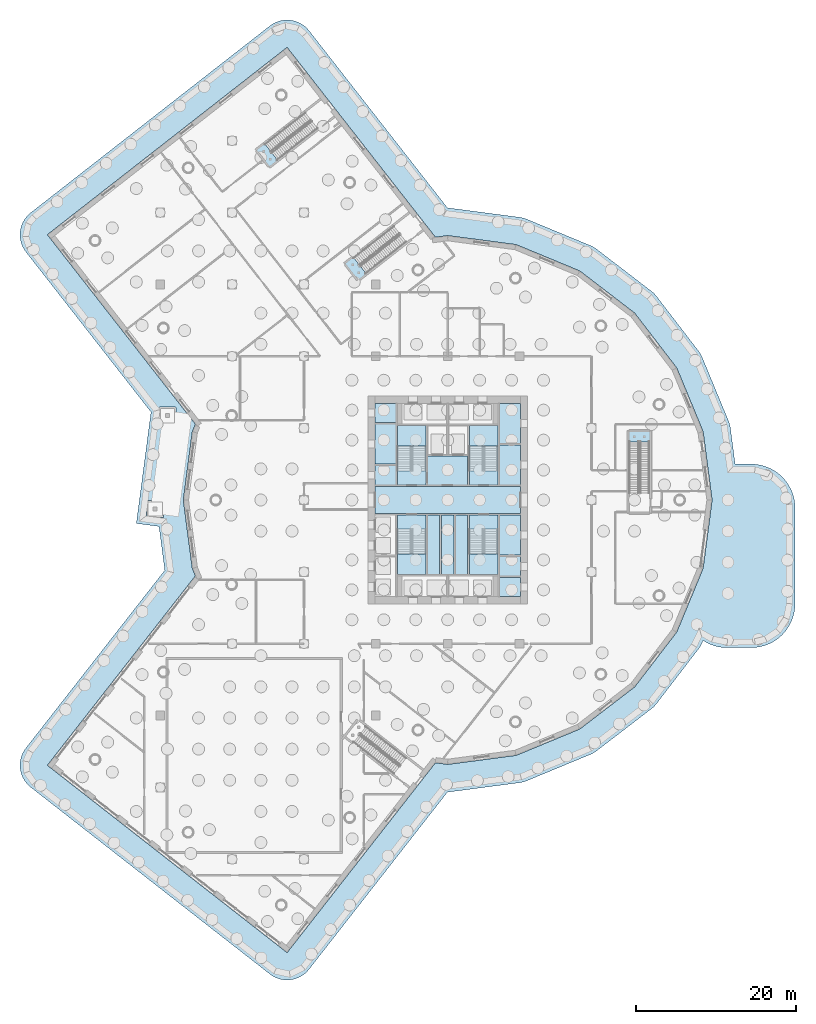
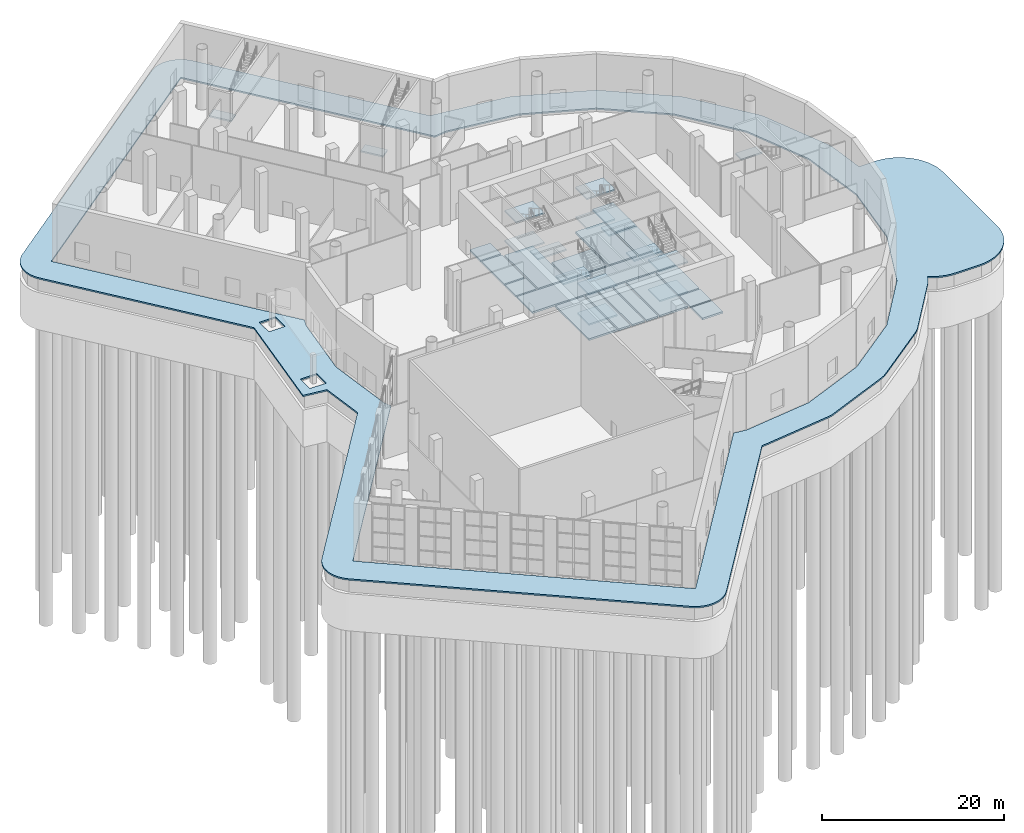
# One storey, part 10 of 34: 33 slabs, 7 elements without a shape of their own.
"""IFC4 building model written with IfcOpenShell, lengths in metres."""

import ifcopenshell
import ifcopenshell.guid

model = None  # the IFC model being written
_history = None  # IfcOwnerHistory: only IFC2X3 demands one
_inside = {}  # id of a spatial element -> (the spatial element, [elements in it])
_under = {}  # id of a project, library or spatial element -> (it, [spatial elements below it])
_declared = {}  # id of a project -> (the project, [libraries it declares])
_typed = {}  # id of a type object -> (the type object, [elements of that type])
_made_of = {}  # id of a material, layer set ... -> (it, [elements and type objects made of it])


def new_model(schema):
    """Start an empty IFC model of exactly this schema.

    Asked for "IFC4X3", IfcOpenShell would pick the latest addendum, in which some entities
    have other attributes; the version numbers below select the first issue.
    IFC2X3 requires an IfcOwnerHistory on every rooted entity: one is made here for all.
    """
    global model, _history
    if schema == "IFC4X3":
        model = ifcopenshell.file(schema_version=(4, 3, 0, 0))
    else:
        model = ifcopenshell.file(schema=schema)
    _inside.clear()
    _under.clear()
    _declared.clear()
    _typed.clear()
    _made_of.clear()
    _history = None
    if model.schema == "IFC2X3":
        org = make("IfcOrganization", Name="unknown")
        user = make(
            "IfcPersonAndOrganization",
            ThePerson=make("IfcPerson", FamilyName="unknown"),
            TheOrganization=org,
        )
        app = make(
            "IfcApplication",
            ApplicationDeveloper=org,
            Version="unknown",
            ApplicationFullName="unknown",
            ApplicationIdentifier="unknown",
        )
        _history = make(
            "IfcOwnerHistory",
            OwningUser=user,
            OwningApplication=app,
            ChangeAction="ADDED",
            CreationDate=0,
        )
    return model


def make(cls, **values):
    """One entity of the class cls with the attributes given. An attribute that is None is left unset."""
    return model.create_entity(
        cls, **{name: value for name, value in values.items() if value is not None}
    )


def rooted(cls, **values):
    """An entity with a GlobalId (a new one), such as an element, a storey or a relation."""
    return make(cls, GlobalId=ifcopenshell.guid.new(), OwnerHistory=_history, **values)


def si_unit(unit_type, name, prefix=None):
    """IfcSIUnit, for example si_unit("LENGTHUNIT", "METRE", prefix="MILLI")."""
    return make("IfcSIUnit", UnitType=unit_type, Prefix=prefix, Name=name)


def assignment(units):
    """IfcUnitAssignment: the units of a project."""
    return None if units is None else make("IfcUnitAssignment", Units=units)


def point(xyz):
    """IfcCartesianPoint."""
    return None if xyz is None else make("IfcCartesianPoint", Coordinates=xyz)


def direction(xyz):
    """IfcDirection."""
    return None if xyz is None else make("IfcDirection", DirectionRatios=xyz)


def frame(location, z_axis=None, x_axis=None):
    """IfcAxis2Placement3D, a coordinate frame: its origin and axes. An axis left out is left unset."""
    return make(
        "IfcAxis2Placement3D",
        Location=point(location),
        Axis=direction(z_axis),
        RefDirection=direction(x_axis),
    )


def origin():
    """The frame at (0, 0, 0) with its axes left unset."""
    return frame((0.0, 0.0, 0.0))


def place(relative_to, where):
    """IfcLocalPlacement: puts the frame where relative to a parent placement (None: the world)."""
    return make(
        "IfcLocalPlacement", PlacementRelTo=relative_to, RelativePlacement=where
    )


def context(
    kind, dimensions, precision=None, world=None, true_north=None, identifier=None
):
    """IfcGeometricRepresentationContext, for example the 3D "Model" context."""
    return make(
        "IfcGeometricRepresentationContext",
        ContextIdentifier=identifier,
        ContextType=kind,
        CoordinateSpaceDimension=dimensions,
        Precision=precision,
        WorldCoordinateSystem=world,
        TrueNorth=true_north,
    )


def subcontext(parent, identifier, kind, view, scale=None):
    """IfcGeometricRepresentationSubContext, for example "Body" below "Model"."""
    return make(
        "IfcGeometricRepresentationSubContext",
        ContextIdentifier=identifier,
        ContextType=kind,
        ParentContext=parent,
        TargetScale=scale,
        TargetView=view,
    )


def project(units=None, contexts=None):
    """IfcProject with its units and contexts."""
    return rooted(
        "IfcProject",
        Name="project",
        RepresentationContexts=contexts,
        UnitsInContext=assignment(units),
    )


def spatial(cls, under=None, at=None, **own):
    """A site, building, storey or space (cls), placed at a placement, below another one or the project."""
    s = rooted(cls, ObjectPlacement=at, **own)
    if under is not None:
        _under.setdefault(under.id(), (under, []))[1].append(s)
    return s


def polyline(points):
    """IfcPolyline through the points."""
    return make("IfcPolyline", Points=[point(p) for p in points])


def outline(outer, holes=None, kind="AREA"):
    """IfcArbitraryClosedProfileDef: a profile drawn as a closed curve; with holes, ...WithVoids."""
    if holes is None:
        return make("IfcArbitraryClosedProfileDef", ProfileType=kind, OuterCurve=outer)
    return make(
        "IfcArbitraryProfileDefWithVoids",
        ProfileType=kind,
        OuterCurve=outer,
        InnerCurves=holes,
    )


def extrude(swept, where, along, depth):
    """IfcExtrudedAreaSolid: the profile swept, set in the frame where, extruded along a direction by depth."""
    return make(
        "IfcExtrudedAreaSolid",
        SweptArea=swept,
        Position=where,
        ExtrudedDirection=direction(along),
        Depth=depth,
    )


def shape(context_of_items, identifier, shape_type, items):
    """IfcShapeRepresentation: the items that make up one representation, for example the "Body"."""
    return make(
        "IfcShapeRepresentation",
        ContextOfItems=context_of_items,
        RepresentationIdentifier=identifier,
        RepresentationType=shape_type,
        Items=items,
    )


def material(Name=None, Category=None):
    """IfcMaterial."""
    return make("IfcMaterial", Name=Name, Category=Category)


def layer(
    of_material, thickness, ventilated=None, Name=None, Category=None, Priority=None
):
    """IfcMaterialLayer: one layer of a wall or slab, of a material (None: an air gap)."""
    return make(
        "IfcMaterialLayer",
        Material=of_material,
        LayerThickness=thickness,
        IsVentilated=ventilated,
        Name=Name,
        Category=Category,
        Priority=Priority,
    )


def layer_set(layers, Name=None):
    """IfcMaterialLayerSet."""
    return make("IfcMaterialLayerSet", MaterialLayers=layers, LayerSetName=Name)


def made_of(thing, what):
    """Note that an element or type object is made of a material, layer set ...; save() writes the relation."""
    if what is not None:
        _made_of.setdefault(what.id(), (what, []))[1].append(thing)
    return thing


def type_object(cls, material=None, **own):
    """A type object (cls), such as IfcWallType, which elements share."""
    return made_of(rooted(cls, **own), material)


def element(
    cls,
    number,
    at=None,
    inside=None,
    cuts=None,
    type_object=None,
    material=None,
    context=None,
    identifier="Body",
    shape_type=None,
    held_by="IfcProductDefinitionShape",
    body=None,
    shapes=None,
    **own,
):
    """One element of the class cls, such as IfcWall. Its Tag is "e" and its number.

    at: its placement. inside: the storey or other place that contains it. cuts: it is an
    opening in that element (IfcRelVoidsElement). A single representation is given by context,
    identifier, shape_type and body (its items); several are given by shapes. held_by: the class
    of the entity that holds the representations. save() writes the other relations.
    """
    e = rooted(cls, Tag="e%d" % number, ObjectPlacement=at, **own)
    if body is not None:
        shapes = [shape(context, identifier, shape_type, body)]
    if shapes is not None:
        e.Representation = make(held_by, Representations=shapes)
    if inside is not None:
        _inside.setdefault(inside.id(), (inside, []))[1].append(e)
    if cuts is not None:
        rooted(
            "IfcRelVoidsElement", RelatingBuildingElement=cuts, RelatedOpeningElement=e
        )
    if type_object is not None:
        _typed.setdefault(type_object.id(), (type_object, []))[1].append(e)
    return made_of(e, material)


def aggregate(whole, parts):
    """IfcRelAggregates: a whole, such as a stair, and the parts it consists of."""
    return rooted("IfcRelAggregates", RelatingObject=whole, RelatedObjects=parts)


def save(model, path):
    """Write the relations noted so far, then the file.

    IfcRelAggregates (storeys below a building ...), IfcRelContainedInSpatialStructure (elements
    in a storey), IfcRelDefinesByType, IfcRelAssociatesMaterial and IfcRelDeclares: one each for
    every whole, place, type object, material and project.
    """
    for whole, parts in _under.values():
        aggregate(whole, parts)
    for where, things in _inside.values():
        rooted(
            "IfcRelContainedInSpatialStructure",
            RelatedElements=things,
            RelatingStructure=where,
        )
    for kind, things in _typed.values():
        rooted("IfcRelDefinesByType", RelatedObjects=things, RelatingType=kind)
    for what, things in _made_of.values():
        rooted("IfcRelAssociatesMaterial", RelatedObjects=things, RelatingMaterial=what)
    for by, libraries in _declared.values():
        rooted("IfcRelDeclares", RelatingContext=by, RelatedDefinitions=libraries)
    model.write(path)


model = new_model("IFC4")

# Units and contexts
model_context = context("Model", 3, precision=1e-05, world=origin(), true_north=direction((0.0, 1.0)))
body_context = subcontext(model_context, "Body", "Model", "MODEL_VIEW")
ifc_project = project(units=[si_unit("LENGTHUNIT", "METRE"), si_unit("AREAUNIT", "SQUARE_METRE"), si_unit("VOLUMEUNIT", "CUBIC_METRE"), si_unit("PLANEANGLEUNIT", "RADIAN"), si_unit("MASSUNIT", "GRAM", prefix="KILO")], contexts=[model_context])

# Site, building, storey
site_placement = place(None, origin())
site = spatial("IfcSite", under=ifc_project, at=site_placement, CompositionType="ELEMENT")
building_placement = place(site_placement, origin())
building = spatial("IfcBuilding", under=site, at=building_placement, Name="Tarsis Ring Headquarters", CompositionType="ELEMENT")
storey_placement = place(building_placement, origin())
storey = spatial("IfcBuildingStorey", under=building, at=storey_placement, Name="L00", CompositionType="ELEMENT", Elevation=0.0)

# Slabs
ifc_material_1 = material(Name="Concrete C40/50", Category="concrete")
ifc_layer_1 = layer(ifc_material_1, 0.25)
ifc_layer_set_1 = layer_set([ifc_layer_1], Name="Core floor slab 250 C40/50")
slab_type_1 = type_object("IfcSlabType", Name="Core floor slab 250 C40/50", PredefinedType="FLOOR", material=ifc_layer_set_1)
slab_1_placement = place(storey_placement, frame((0.0, 0.0, -0.25)))
element("IfcSlab", 1, at=slab_1_placement, inside=storey, type_object=slab_type_1, Name="L00 core floor slab 1", PredefinedType="FLOOR", context=body_context, shape_type="SweptSolid", body=[
    extrude(outline(polyline([(-9.10009765625, 4.300048828125), (-6.5, 4.300048828125), (-6.5, 1.89990234375), (-9.10009765625, 1.89990234375), (-9.10009765625, 4.300048828125)])), origin(), (0.0, 0.0, 1.0), 0.25),
])
slab_2_placement = place(storey_placement, frame((0.0, 0.0, -0.25)))
element("IfcSlab", 2, at=slab_2_placement, inside=storey, type_object=slab_type_1, Name="L00 core floor slab 2", PredefinedType="FLOOR", context=body_context, shape_type="SweptSolid", body=[
    extrude(outline(polyline([(-9.10009765625, 9.5), (-6.5, 9.5), (-6.5, 4.5), (-9.10009765625, 4.5), (-9.10009765625, 9.5)])), origin(), (0.0, 0.0, 1.0), 0.25),
])
slab_3_placement = place(storey_placement, frame((0.0, 0.0, -0.25)))
element("IfcSlab", 3, at=slab_3_placement, inside=storey, type_object=slab_type_1, Name="L00 core floor slab 3", PredefinedType="FLOOR", context=body_context, shape_type="SweptSolid", body=[
    extrude(outline(polyline([(-9.10009765625, 12.10009765625), (-6.5, 12.10009765625), (-6.5, 9.699951171875), (-9.10009765625, 9.699951171875), (-9.10009765625, 12.10009765625)])), origin(), (0.0, 0.0, 1.0), 0.25),
])
slab_4_placement = place(storey_placement, frame((0.0, 0.0, -0.25)))
element("IfcSlab", 4, at=slab_4_placement, inside=storey, type_object=slab_type_1, Name="L00 core floor slab 4", PredefinedType="FLOOR", context=body_context, shape_type="SweptSolid", body=[
    extrude(outline(polyline([(-6.300048828125, -9.300048828125), (-6.300048828125, -1.89990234375), (-2.699951171875, -1.89990234375), (-2.699951171875, -9.300048828125), (-6.300048828125, -9.300048828125)])), origin(), (0.0, 0.0, 1.0), 0.25),
])
slab_5_placement = place(storey_placement, frame((0.0, 0.0, -0.25)))
element("IfcSlab", 5, at=slab_5_placement, inside=storey, type_object=slab_type_1, Name="L00 core floor slab 5", PredefinedType="FLOOR", context=body_context, shape_type="SweptSolid", body=[
    extrude(outline(polyline([(-6.300048828125, 9.300048828125), (-2.699951171875, 9.300048828125), (-2.699951171875, 1.89990234375), (-6.300048828125, 1.89990234375), (-6.300048828125, 9.300048828125)])), origin(), (0.0, 0.0, 1.0), 0.25),
])
slab_6_placement = place(storey_placement, frame((0.0, 0.0, -0.25)))
element("IfcSlab", 6, at=slab_6_placement, inside=storey, type_object=slab_type_1, Name="L00 core floor slab 6", PredefinedType="FLOOR", context=body_context, shape_type="SweptSolid", body=[
    extrude(outline(polyline([(-1.0, -9.300048828125), (-2.5, -9.300048828125), (-2.5, -1.89990234375), (-1.0, -1.89990234375), (-1.0, -9.300048828125)])), origin(), (0.0, 0.0, 1.0), 0.25),
])
slab_7_placement = place(storey_placement, frame((0.0, 0.0, -0.25)))
element("IfcSlab", 7, at=slab_7_placement, inside=storey, type_object=slab_type_1, Name="L00 core floor slab 7", PredefinedType="FLOOR", context=body_context, shape_type="SweptSolid", body=[
    extrude(outline(polyline([(-0.800048828125, -9.300048828125), (-0.800048828125, -1.89990234375), (0.800048828125, -1.89990234375), (0.800048828125, -9.300048828125), (-0.800048828125, -9.300048828125)])), origin(), (0.0, 0.0, 1.0), 0.25),
])
slab_8_placement = place(storey_placement, frame((0.0, 0.0, -0.25)))
element("IfcSlab", 8, at=slab_8_placement, inside=storey, type_object=slab_type_1, Name="L00 core floor slab 8", PredefinedType="FLOOR", context=body_context, shape_type="SweptSolid", body=[
    extrude(outline(polyline([(-9.10009765625, -1.699951171875), (-9.10009765625, 1.699951171875), (9.10009765625, 1.699951171875), (9.10009765625, -1.699951171875), (-9.10009765625, -1.699951171875)])), origin(), (0.0, 0.0, 1.0), 0.25),
])
slab_9_placement = place(storey_placement, frame((0.0, 0.0, -0.25)))
element("IfcSlab", 9, at=slab_9_placement, inside=storey, type_object=slab_type_1, Name="L00 core floor slab 9", PredefinedType="FLOOR", context=body_context, shape_type="SweptSolid", body=[
    extrude(outline(polyline([(-2.5, 1.89990234375), (-2.5, 5.5), (2.5, 5.5), (2.5, 1.89990234375), (-2.5, 1.89990234375)])), origin(), (0.0, 0.0, 1.0), 0.25),
])
slab_10_placement = place(storey_placement, frame((0.0, 0.0, -0.25)))
element("IfcSlab", 10, at=slab_10_placement, inside=storey, type_object=slab_type_1, Name="L00 core floor slab 10", PredefinedType="FLOOR", context=body_context, shape_type="SweptSolid", body=[
    extrude(outline(polyline([(1.0, -1.89990234375), (2.5, -1.89990234375), (2.5, -9.300048828125), (1.0, -9.300048828125), (1.0, -1.89990234375)])), origin(), (0.0, 0.0, 1.0), 0.25),
])
slab_11_placement = place(storey_placement, frame((0.0, 0.0, -0.25)))
element("IfcSlab", 11, at=slab_11_placement, inside=storey, type_object=slab_type_1, Name="L00 core floor slab 11", PredefinedType="FLOOR", context=body_context, shape_type="SweptSolid", body=[
    extrude(outline(polyline([(6.300048828125, -9.300048828125), (2.699951171875, -9.300048828125), (2.699951171875, -1.89990234375), (6.300048828125, -1.89990234375), (6.300048828125, -9.300048828125)])), origin(), (0.0, 0.0, 1.0), 0.25),
])
slab_12_placement = place(storey_placement, frame((0.0, 0.0, -0.25)))
element("IfcSlab", 12, at=slab_12_placement, inside=storey, type_object=slab_type_1, Name="L00 core floor slab 12", PredefinedType="FLOOR", context=body_context, shape_type="SweptSolid", body=[
    extrude(outline(polyline([(6.300048828125, 9.300048828125), (6.300048828125, 1.89990234375), (2.699951171875, 1.89990234375), (2.699951171875, 9.300048828125), (6.300048828125, 9.300048828125)])), origin(), (0.0, 0.0, 1.0), 0.25),
])
slab_13_placement = place(storey_placement, frame((0.0, 0.0, -0.25)))
element("IfcSlab", 13, at=slab_13_placement, inside=storey, type_object=slab_type_1, Name="L00 core floor slab 13", PredefinedType="FLOOR", context=body_context, shape_type="SweptSolid", body=[
    extrude(outline(polyline([(9.10009765625, -9.699951171875), (9.10009765625, -12.10009765625), (6.5, -12.10009765625), (6.5, -9.699951171875), (9.10009765625, -9.699951171875)])), origin(), (0.0, 0.0, 1.0), 0.25),
])
slab_14_placement = place(storey_placement, frame((0.0, 0.0, -0.25)))
element("IfcSlab", 14, at=slab_14_placement, inside=storey, type_object=slab_type_1, Name="L00 core floor slab 14", PredefinedType="FLOOR", context=body_context, shape_type="SweptSolid", body=[
    extrude(outline(polyline([(9.10009765625, -7.10009765625), (9.10009765625, -9.5), (6.5, -9.5), (6.5, -7.10009765625), (9.10009765625, -7.10009765625)])), origin(), (0.0, 0.0, 1.0), 0.25),
])
slab_15_placement = place(storey_placement, frame((0.0, 0.0, -0.25)))
element("IfcSlab", 15, at=slab_15_placement, inside=storey, type_object=slab_type_1, Name="L00 core floor slab 15", PredefinedType="FLOOR", context=body_context, shape_type="SweptSolid", body=[
    extrude(outline(polyline([(9.10009765625, -1.89990234375), (9.10009765625, -6.89990234375), (6.5, -6.89990234375), (6.5, -1.89990234375), (9.10009765625, -1.89990234375)])), origin(), (0.0, 0.0, 1.0), 0.25),
])
slab_16_placement = place(storey_placement, frame((0.0, 0.0, -0.25)))
element("IfcSlab", 16, at=slab_16_placement, inside=storey, type_object=slab_type_1, Name="L00 core floor slab 16", PredefinedType="FLOOR", context=body_context, shape_type="SweptSolid", body=[
    extrude(outline(polyline([(9.10009765625, 6.89990234375), (9.10009765625, 1.89990234375), (6.5, 1.89990234375), (6.5, 6.89990234375), (9.10009765625, 6.89990234375)])), origin(), (0.0, 0.0, 1.0), 0.25),
])
slab_17_placement = place(storey_placement, frame((0.0, 0.0, -0.25)))
element("IfcSlab", 17, at=slab_17_placement, inside=storey, type_object=slab_type_1, Name="L00 core floor slab 17", PredefinedType="FLOOR", context=body_context, shape_type="SweptSolid", body=[
    extrude(outline(polyline([(6.5, 12.10009765625), (9.10009765625, 12.10009765625), (9.10009765625, 7.10009765625), (6.5, 7.10009765625), (6.5, 12.10009765625)])), origin(), (0.0, 0.0, 1.0), 0.25),
])

# Stair, slabs
ifc_material_2 = material(Name="Core stair 1760")
stair_type_1 = type_object("IfcStairType", Name="Core stair 1760", PredefinedType="HALF_TURN_STAIR", material=ifc_material_2)
stair_1_placement = place(storey_placement, origin())
stair_1 = element("IfcStair", 18, at=stair_1_placement, inside=storey, type_object=stair_type_1, Name="L00 Firefighting stair", PredefinedType="HALF_TURN_STAIR")
ifc_layer_2 = layer(ifc_material_1, 0.199951171875)
ifc_layer_set_2 = layer_set([ifc_layer_2], Name="Core stair landing 200")
slab_type_2 = type_object("IfcSlabType", Name="Core stair landing 200", PredefinedType="LANDING", material=ifc_layer_set_2)
slab_18_placement = place(storey_placement, frame((0.0, 0.0, 1.800048828125)))
slab_18 = element("IfcSlab", 19, at=slab_18_placement, type_object=slab_type_2, Name="Stair ST1 landing 1", PredefinedType="LANDING", context=body_context, shape_type="SweptSolid", body=[
    extrude(outline(polyline([(-2.699951171875, 6.739990234375), (-2.699951171875, 9.300048828125), (-6.300048828125, 9.300048828125), (-6.300048828125, 6.739990234375), (-2.699951171875, 6.739990234375)])), origin(), (0.0, 0.0, 1.0), 0.199951171875),
])
slab_19_placement = place(storey_placement, frame((0.0, 0.0, 3.800048828125)))
slab_19 = element("IfcSlab", 20, at=slab_19_placement, type_object=slab_type_2, Name="Stair ST1 landing 2", PredefinedType="LANDING", context=body_context, shape_type="SweptSolid", body=[
    extrude(outline(polyline([(-2.699951171875, 1.89990234375), (-2.699951171875, 3.659912109375), (-6.300048828125, 3.659912109375), (-6.300048828125, 1.89990234375), (-2.699951171875, 1.89990234375)])), origin(), (0.0, 0.0, 1.0), 0.199951171875),
])
slab_20_placement = place(storey_placement, frame((0.0, 0.0, 5.800048828125)))
slab_20 = element("IfcSlab", 21, at=slab_20_placement, type_object=slab_type_2, Name="Stair ST1 landing 3", PredefinedType="LANDING", context=body_context, shape_type="SweptSolid", body=[
    extrude(outline(polyline([(-2.699951171875, 6.739990234375), (-2.699951171875, 9.300048828125), (-6.300048828125, 9.300048828125), (-6.300048828125, 6.739990234375), (-2.699951171875, 6.739990234375)])), origin(), (0.0, 0.0, 1.0), 0.199951171875),
])
aggregate(stair_1, [slab_18, slab_19, slab_20])

stair_2_placement = place(storey_placement, origin())
stair_2 = element("IfcStair", 22, at=stair_2_placement, inside=storey, type_object=stair_type_1, Name="L00 Exit stair B", PredefinedType="HALF_TURN_STAIR")
slab_21_placement = place(storey_placement, frame((0.0, 0.0, 1.800048828125)))
slab_21 = element("IfcSlab", 23, at=slab_21_placement, type_object=slab_type_2, Name="Stair ST2 landing 1", PredefinedType="LANDING", context=body_context, shape_type="SweptSolid", body=[
    extrude(outline(polyline([(6.300048828125, 6.739990234375), (6.300048828125, 9.300048828125), (2.699951171875, 9.300048828125), (2.699951171875, 6.739990234375), (6.300048828125, 6.739990234375)])), origin(), (0.0, 0.0, 1.0), 0.199951171875),
])
slab_22_placement = place(storey_placement, frame((0.0, 0.0, 3.800048828125)))
slab_22 = element("IfcSlab", 24, at=slab_22_placement, type_object=slab_type_2, Name="Stair ST2 landing 2", PredefinedType="LANDING", context=body_context, shape_type="SweptSolid", body=[
    extrude(outline(polyline([(6.300048828125, 1.89990234375), (6.300048828125, 3.659912109375), (2.699951171875, 3.659912109375), (2.699951171875, 1.89990234375), (6.300048828125, 1.89990234375)])), origin(), (0.0, 0.0, 1.0), 0.199951171875),
])
slab_23_placement = place(storey_placement, frame((0.0, 0.0, 5.800048828125)))
slab_23 = element("IfcSlab", 25, at=slab_23_placement, type_object=slab_type_2, Name="Stair ST2 landing 3", PredefinedType="LANDING", context=body_context, shape_type="SweptSolid", body=[
    extrude(outline(polyline([(6.300048828125, 6.739990234375), (6.300048828125, 9.300048828125), (2.699951171875, 9.300048828125), (2.699951171875, 6.739990234375), (6.300048828125, 6.739990234375)])), origin(), (0.0, 0.0, 1.0), 0.199951171875),
])
aggregate(stair_2, [slab_21, slab_22, slab_23])

stair_3_placement = place(storey_placement, origin())
stair_3 = element("IfcStair", 26, at=stair_3_placement, inside=storey, type_object=stair_type_1, Name="L00 Exit stair C", PredefinedType="HALF_TURN_STAIR")
slab_24_placement = place(storey_placement, frame((0.0, 0.0, 1.800048828125)))
slab_24 = element("IfcSlab", 27, at=slab_24_placement, type_object=slab_type_2, Name="Stair ST3 landing 1", PredefinedType="LANDING", context=body_context, shape_type="SweptSolid", body=[
    extrude(outline(polyline([(-6.300048828125, -6.739990234375), (-6.300048828125, -9.300048828125), (-2.699951171875, -9.300048828125), (-2.699951171875, -6.739990234375), (-6.300048828125, -6.739990234375)])), origin(), (0.0, 0.0, 1.0), 0.199951171875),
])
slab_25_placement = place(storey_placement, frame((0.0, 0.0, 3.800048828125)))
slab_25 = element("IfcSlab", 28, at=slab_25_placement, type_object=slab_type_2, Name="Stair ST3 landing 2", PredefinedType="LANDING", context=body_context, shape_type="SweptSolid", body=[
    extrude(outline(polyline([(-6.300048828125, -1.89990234375), (-6.300048828125, -3.659912109375), (-2.699951171875, -3.659912109375), (-2.699951171875, -1.89990234375), (-6.300048828125, -1.89990234375)])), origin(), (0.0, 0.0, 1.0), 0.199951171875),
])
slab_26_placement = place(storey_placement, frame((0.0, 0.0, 5.800048828125)))
slab_26 = element("IfcSlab", 29, at=slab_26_placement, type_object=slab_type_2, Name="Stair ST3 landing 3", PredefinedType="LANDING", context=body_context, shape_type="SweptSolid", body=[
    extrude(outline(polyline([(-6.300048828125, -6.739990234375), (-6.300048828125, -9.300048828125), (-2.699951171875, -9.300048828125), (-2.699951171875, -6.739990234375), (-6.300048828125, -6.739990234375)])), origin(), (0.0, 0.0, 1.0), 0.199951171875),
])
aggregate(stair_3, [slab_24, slab_25, slab_26])

stair_4_placement = place(storey_placement, origin())
stair_4 = element("IfcStair", 30, at=stair_4_placement, inside=storey, type_object=stair_type_1, Name="L00 Exit stair D", PredefinedType="HALF_TURN_STAIR")
slab_27_placement = place(storey_placement, frame((0.0, 0.0, 1.800048828125)))
slab_27 = element("IfcSlab", 31, at=slab_27_placement, type_object=slab_type_2, Name="Stair ST4 landing 1", PredefinedType="LANDING", context=body_context, shape_type="SweptSolid", body=[
    extrude(outline(polyline([(2.699951171875, -6.739990234375), (2.699951171875, -9.300048828125), (6.300048828125, -9.300048828125), (6.300048828125, -6.739990234375), (2.699951171875, -6.739990234375)])), origin(), (0.0, 0.0, 1.0), 0.199951171875),
])
slab_28_placement = place(storey_placement, frame((0.0, 0.0, 3.800048828125)))
slab_28 = element("IfcSlab", 32, at=slab_28_placement, type_object=slab_type_2, Name="Stair ST4 landing 2", PredefinedType="LANDING", context=body_context, shape_type="SweptSolid", body=[
    extrude(outline(polyline([(2.699951171875, -1.89990234375), (2.699951171875, -3.659912109375), (6.300048828125, -3.659912109375), (6.300048828125, -1.89990234375), (2.699951171875, -1.89990234375)])), origin(), (0.0, 0.0, 1.0), 0.199951171875),
])
slab_29_placement = place(storey_placement, frame((0.0, 0.0, 5.800048828125)))
slab_29 = element("IfcSlab", 33, at=slab_29_placement, type_object=slab_type_2, Name="Stair ST4 landing 3", PredefinedType="LANDING", context=body_context, shape_type="SweptSolid", body=[
    extrude(outline(polyline([(2.699951171875, -6.739990234375), (2.699951171875, -9.300048828125), (6.300048828125, -9.300048828125), (6.300048828125, -6.739990234375), (2.699951171875, -6.739990234375)])), origin(), (0.0, 0.0, 1.0), 0.199951171875),
])
aggregate(stair_4, [slab_27, slab_28, slab_29])

# Slab
ifc_material_3 = material(Name="Natural stone paving", Category="masonry")
ifc_layer_3 = layer(ifc_material_3, 0.199951171875)
ifc_layer_set_3 = layer_set([ifc_layer_3], Name="PO-PVS")
slab_type_3 = type_object("IfcSlabType", Name="PO-PVS", PredefinedType="FLOOR", material=ifc_layer_set_3)
slab_30_placement = place(storey_placement, frame((0.0, 0.0, -0.199951171875)))
element("IfcSlab", 34, at=slab_30_placement, inside=storey, type_object=slab_type_3, Name="Plaza paving", PredefinedType="FLOOR", context=body_context, shape_type="SweptSolid", body=[
    extrude(outline(polyline([(33.4033203125, -18.26318359375), (33.927001953125, -18.394287109375), (34.4609375, -18.4736328125), (35.0, -18.5), (38.0, -18.5), (38.5390625, -18.4736328125), (39.072998046875, -18.394287109375), (39.5966796875, -18.26318359375), (40.104736328125, -18.081298828125), (40.5927734375, -17.8505859375), (41.0556640625, -17.572998046875), (41.4892578125, -17.25146484375), (41.88916015625, -16.88916015625), (42.25146484375, -16.4892578125), (42.572998046875, -16.0556640625), (42.8505859375, -15.5927734375), (43.081298828125, -15.104736328125), (43.26318359375, -14.5966796875), (43.394287109375, -14.072998046875), (43.4736328125, -13.5390625), (43.5, -13.0), (43.5, -1.0), (43.4736328125, -0.4609375), (43.394287109375, 0.072998046875), (43.26318359375, 0.5966796875), (43.081298828125, 1.104736328125), (42.8505859375, 1.5927734375), (42.572998046875, 2.0556640625), (42.25146484375, 2.4892578125), (41.88916015625, 2.88916015625), (41.4892578125, 3.25146484375), (41.0556640625, 3.572998046875), (40.5927734375, 3.8505859375), (40.104736328125, 4.081298828125), (39.5966796875, 4.26318359375), (39.072998046875, 4.394287109375), (38.5390625, 4.4736328125), (38.0, 4.5), (35.998046875, 4.5), (35.404052734375, 9.013427734375), (35.350830078125, 9.314208984375), (35.27197265625, 9.609130859375), (35.16748046875, 9.89599609375), (31.86474609375, 17.86962890625), (31.735595703125, 18.146240234375), (31.5830078125, 18.41064453125), (31.407958984375, 18.660888671875), (26.154052734375, 25.5078125), (25.957763671875, 25.74169921875), (25.74169921875, 25.957763671875), (25.5078125, 26.154052734375), (18.660888671875, 31.407958984375), (18.41064453125, 31.5830078125), (18.146240234375, 31.735595703125), (17.86962890625, 31.86474609375), (9.89599609375, 35.16748046875), (9.609130859375, 35.27197265625), (9.314208984375, 35.350830078125), (9.013427734375, 35.404052734375), (0.456787109375, 36.530517578125), (-0.008544921875, 36.55712890625), (-17.362548828125, 58.76904296875), (-17.5869140625, 59.029052734375), (-17.8359375, 59.265625), (-18.106689453125, 59.476806640625), (-18.39697265625, 59.660400390625), (-18.703857421875, 59.814697265625), (-19.0244140625, 59.938232421875), (-19.35546875, 60.029541015625), (-19.69384765625, 60.088134765625), (-20.03662109375, 60.11328125), (-20.3798828125, 60.1044921875), (-20.720703125, 60.062255859375), (-21.055908203125, 59.98681640625), (-21.3818359375, 59.87890625), (-21.69580078125, 59.739501953125), (-21.99462890625, 59.570068359375), (-22.275390625, 59.372314453125), (-52.2197265625, 35.97705078125), (-52.479736328125, 35.752685546875), (-52.71630859375, 35.503662109375), (-52.927490234375, 35.23291015625), (-53.111083984375, 34.942626953125), (-53.265380859375, 34.6357421875), (-53.388916015625, 34.315185546875), (-53.480224609375, 33.984130859375), (-53.538818359375, 33.6455078125), (-53.56396484375, 33.302978515625), (-53.55517578125, 32.959716796875), (-53.512939453125, 32.618896484375), (-53.4375, 32.28369140625), (-53.32958984375, 31.95751953125), (-53.1904296875, 31.643798828125), (-53.020751953125, 31.344970703125), (-52.822998046875, 31.064208984375), (-37.157958984375, 11.013916015625), (-38.994384765625, -2.935302734375), (-36.155029296875, -3.30908203125), (-35.431396484375, -8.80419921875), (-52.822998046875, -31.064208984375), (-53.020751953125, -31.344970703125), (-53.1904296875, -31.643798828125), (-53.32958984375, -31.95751953125), (-53.4375, -32.28369140625), (-53.512939453125, -32.618896484375), (-53.55517578125, -32.959716796875), (-53.56396484375, -33.302978515625), (-53.538818359375, -33.6455078125), (-53.480224609375, -33.984130859375), (-53.388916015625, -34.315185546875), (-53.265380859375, -34.6357421875), (-53.111083984375, -34.942626953125), (-52.927490234375, -35.23291015625), (-52.71630859375, -35.503662109375), (-52.479736328125, -35.752685546875), (-52.2197265625, -35.97705078125), (-22.275390625, -59.372314453125), (-21.99462890625, -59.570068359375), (-21.69580078125, -59.739501953125), (-21.3818359375, -59.87890625), (-21.055908203125, -59.98681640625), (-20.720703125, -60.062255859375), (-20.3798828125, -60.1044921875), (-20.03662109375, -60.11328125), (-19.69384765625, -60.088134765625), (-19.35546875, -60.029541015625), (-19.0244140625, -59.938232421875), (-18.703857421875, -59.814697265625), (-18.39697265625, -59.660400390625), (-18.106689453125, -59.476806640625), (-17.8359375, -59.265625), (-17.5869140625, -59.029052734375), (-17.362548828125, -58.76904296875), (-0.008544921875, -36.55712890625), (0.456787109375, -36.530517578125), (9.013427734375, -35.404052734375), (9.314208984375, -35.350830078125), (9.609130859375, -35.27197265625), (9.89599609375, -35.16748046875), (17.86962890625, -31.86474609375), (18.146240234375, -31.735595703125), (18.41064453125, -31.5830078125), (18.660888671875, -31.407958984375), (25.5078125, -26.154052734375), (25.74169921875, -25.957763671875), (25.957763671875, -25.74169921875), (26.154052734375, -25.5078125), (31.407958984375, -18.660888671875), (31.5830078125, -18.41064453125), (31.735595703125, -18.146240234375), (31.97900390625, -17.59375), (32.4072265625, -17.8505859375), (32.895263671875, -18.081298828125), (33.4033203125, -18.26318359375)]), holes=[polyline([(-31.981689453125, 8.57177734375), (-31.982666015625, 8.5673828125), (-31.9833984375, 8.563232421875), (-33.10986328125, 0.006591796875), (-33.1103515625, 0.002197265625), (-33.1103515625, -0.002197265625), (-33.10986328125, -0.006591796875), (-31.9833984375, -8.563232421875), (-31.982666015625, -8.5673828125), (-31.981689453125, -8.57177734375), (-31.97998046875, -8.57568359375), (-31.59716796875, -9.500244140625), (-50.104248046875, -33.188232421875), (-50.107177734375, -33.1923828125), (-50.109619140625, -33.196533203125), (-50.111572265625, -33.200927734375), (-50.113037109375, -33.20556640625), (-50.1142578125, -33.21044921875), (-50.11474609375, -33.21533203125), (-50.114990234375, -33.22021484375), (-50.114501953125, -33.22509765625), (-50.11376953125, -33.22998046875), (-50.1123046875, -33.234619140625), (-50.110595703125, -33.2392578125), (-50.1083984375, -33.24365234375), (-50.105712890625, -33.247802734375), (-50.102783203125, -33.251708984375), (-50.099365234375, -33.255126953125), (-50.095703125, -33.258544921875), (-20.1513671875, -56.653564453125), (-20.147216796875, -56.656494140625), (-20.14306640625, -56.658935546875), (-20.138427734375, -56.660888671875), (-20.1337890625, -56.662353515625), (-20.129150390625, -56.663330078125), (-20.124267578125, -56.6640625), (-20.119384765625, -56.6640625), (-20.114501953125, -56.663818359375), (-20.109619140625, -56.6630859375), (-20.104736328125, -56.66162109375), (-20.100341796875, -56.659912109375), (-20.095947265625, -56.65771484375), (-20.091796875, -56.655029296875), (-20.087890625, -56.652099609375), (-20.084228515625, -56.648681640625), (-20.0810546875, -56.64501953125), (-1.5361328125, -32.90869140625), (-0.006591796875, -33.10986328125), (-0.002197265625, -33.1103515625), (0.002197265625, -33.1103515625), (0.006591796875, -33.10986328125), (8.563232421875, -31.9833984375), (8.5673828125, -31.982666015625), (8.57177734375, -31.981689453125), (8.57568359375, -31.97998046875), (16.54931640625, -28.67724609375), (16.55322265625, -28.675537109375), (16.55712890625, -28.67333984375), (16.560546875, -28.6708984375), (23.40771484375, -23.4169921875), (23.4111328125, -23.4140625), (23.4140625, -23.4111328125), (23.4169921875, -23.40771484375), (28.6708984375, -16.560546875), (28.67333984375, -16.55712890625), (28.675537109375, -16.55322265625), (28.67724609375, -16.54931640625), (31.97998046875, -8.57568359375), (31.981689453125, -8.57177734375), (31.982666015625, -8.5673828125), (31.9833984375, -8.563232421875), (33.10986328125, -0.006591796875), (33.1103515625, -0.002197265625), (33.1103515625, 0.002197265625), (33.10986328125, 0.006591796875), (31.9833984375, 8.563232421875), (31.982666015625, 8.5673828125), (31.981689453125, 8.57177734375), (31.97998046875, 8.57568359375), (28.67724609375, 16.54931640625), (28.675537109375, 16.55322265625), (28.67333984375, 16.55712890625), (28.6708984375, 16.560546875), (23.4169921875, 23.40771484375), (23.4140625, 23.4111328125), (23.4111328125, 23.4140625), (23.40771484375, 23.4169921875), (16.560546875, 28.6708984375), (16.55712890625, 28.67333984375), (16.55322265625, 28.675537109375), (16.54931640625, 28.67724609375), (8.57568359375, 31.97998046875), (8.57177734375, 31.981689453125), (8.5673828125, 31.982666015625), (8.563232421875, 31.9833984375), (0.006591796875, 33.10986328125), (0.002197265625, 33.1103515625), (-0.002197265625, 33.1103515625), (-0.006591796875, 33.10986328125), (-1.5361328125, 32.90869140625), (-20.0810546875, 56.64501953125), (-20.084228515625, 56.648681640625), (-20.087890625, 56.652099609375), (-20.091796875, 56.655029296875), (-20.095947265625, 56.65771484375), (-20.100341796875, 56.659912109375), (-20.104736328125, 56.66162109375), (-20.109619140625, 56.6630859375), (-20.114501953125, 56.663818359375), (-20.119384765625, 56.6640625), (-20.124267578125, 56.6640625), (-20.129150390625, 56.663330078125), (-20.1337890625, 56.662353515625), (-20.138427734375, 56.660888671875), (-20.14306640625, 56.658935546875), (-20.147216796875, 56.656494140625), (-20.1513671875, 56.653564453125), (-50.095703125, 33.258544921875), (-50.099365234375, 33.255126953125), (-50.102783203125, 33.251708984375), (-50.105712890625, 33.247802734375), (-50.1083984375, 33.24365234375), (-50.110595703125, 33.2392578125), (-50.1123046875, 33.234619140625), (-50.11376953125, 33.22998046875), (-50.114501953125, 33.22509765625), (-50.114990234375, 33.22021484375), (-50.11474609375, 33.21533203125), (-50.1142578125, 33.21044921875), (-50.113037109375, 33.20556640625), (-50.111572265625, 33.200927734375), (-50.109619140625, 33.196533203125), (-50.107177734375, 33.1923828125), (-50.104248046875, 33.188232421875), (-31.59716796875, 9.500244140625), (-31.97998046875, 8.57568359375), (-31.981689453125, 8.57177734375)]), polyline([(-34.088134765625, 9.522705078125), (-34.08349609375, 9.523681640625), (-34.078857421875, 9.525390625), (-34.074462890625, 9.527587890625), (-34.070068359375, 9.530029296875), (-34.066162109375, 9.532958984375), (-34.0625, 9.536376953125), (-34.059326171875, 9.5400390625), (-34.056396484375, 9.5439453125), (-34.053955078125, 9.548095703125), (-34.0517578125, 9.552490234375), (-34.050048828125, 9.55712890625), (-34.048828125, 9.56201171875), (-34.048095703125, 9.566650390625), (-34.0478515625, 9.571533203125), (-34.0478515625, 11.571533203125), (-34.048095703125, 11.57666015625), (-34.048828125, 11.581298828125), (-34.050048828125, 11.586181640625), (-34.0517578125, 11.5908203125), (-34.053955078125, 11.59521484375), (-34.056396484375, 11.599365234375), (-34.059326171875, 11.603271484375), (-34.0625, 11.60693359375), (-34.066162109375, 11.6103515625), (-34.070068359375, 11.61328125), (-34.074462890625, 11.61572265625), (-34.078857421875, 11.617919921875), (-34.08349609375, 11.619384765625), (-34.088134765625, 11.62060546875), (-34.093017578125, 11.621337890625), (-34.097900390625, 11.62158203125), (-36.097900390625, 11.62158203125), (-36.102783203125, 11.621337890625), (-36.107666015625, 11.62060546875), (-36.112548828125, 11.619384765625), (-36.1171875, 11.617919921875), (-36.12158203125, 11.61572265625), (-36.125732421875, 11.61328125), (-36.129638671875, 11.6103515625), (-36.13330078125, 11.60693359375), (-36.13671875, 11.603271484375), (-36.1396484375, 11.599365234375), (-36.14208984375, 11.59521484375), (-36.14404296875, 11.5908203125), (-36.145751953125, 11.586181640625), (-36.14697265625, 11.581298828125), (-36.147705078125, 11.57666015625), (-36.14794921875, 11.571533203125), (-36.14794921875, 9.571533203125), (-36.147705078125, 9.566650390625), (-36.14697265625, 9.56201171875), (-36.145751953125, 9.55712890625), (-36.14404296875, 9.552490234375), (-36.14208984375, 9.548095703125), (-36.1396484375, 9.5439453125), (-36.13671875, 9.5400390625), (-36.13330078125, 9.536376953125), (-36.129638671875, 9.532958984375), (-36.125732421875, 9.530029296875), (-36.12158203125, 9.527587890625), (-36.1171875, 9.525390625), (-36.112548828125, 9.523681640625), (-36.107666015625, 9.522705078125), (-36.102783203125, 9.52197265625), (-36.097900390625, 9.521728515625), (-34.097900390625, 9.521728515625), (-34.093017578125, 9.52197265625), (-34.088134765625, 9.522705078125)]), polyline([(-35.63330078125, -2.17724609375), (-35.62841796875, -2.176513671875), (-35.62353515625, -2.17529296875), (-35.619140625, -2.173583984375), (-35.614501953125, -2.17138671875), (-35.6103515625, -2.1689453125), (-35.6064453125, -2.166015625), (-35.602783203125, -2.162841796875), (-35.599609375, -2.1591796875), (-35.5966796875, -2.1552734375), (-35.593994140625, -2.15087890625), (-35.592041015625, -2.146484375), (-35.59033203125, -2.141845703125), (-35.589111328125, -2.13720703125), (-35.58837890625, -2.13232421875), (-35.588134765625, -2.12744140625), (-35.588134765625, -0.12744140625), (-35.58837890625, -0.12255859375), (-35.589111328125, -0.11767578125), (-35.59033203125, -0.11279296875), (-35.592041015625, -0.108154296875), (-35.593994140625, -0.103759765625), (-35.5966796875, -0.099609375), (-35.599609375, -0.095703125), (-35.602783203125, -0.092041015625), (-35.6064453125, -0.0888671875), (-35.6103515625, -0.0859375), (-35.614501953125, -0.083251953125), (-35.619140625, -0.081298828125), (-35.62353515625, -0.07958984375), (-35.62841796875, -0.078369140625), (-35.63330078125, -0.07763671875), (-35.63818359375, -0.077392578125), (-37.63818359375, -0.077392578125), (-37.64306640625, -0.07763671875), (-37.64794921875, -0.078369140625), (-37.652587890625, -0.07958984375), (-37.6572265625, -0.081298828125), (-37.66162109375, -0.083251953125), (-37.666015625, -0.0859375), (-37.669921875, -0.0888671875), (-37.673583984375, -0.092041015625), (-37.6767578125, -0.095703125), (-37.6796875, -0.099609375), (-37.682373046875, -0.103759765625), (-37.684326171875, -0.108154296875), (-37.68603515625, -0.11279296875), (-37.687255859375, -0.11767578125), (-37.68798828125, -0.12255859375), (-37.688232421875, -0.12744140625), (-37.688232421875, -2.12744140625), (-37.68798828125, -2.13232421875), (-37.687255859375, -2.13720703125), (-37.68603515625, -2.141845703125), (-37.684326171875, -2.146484375), (-37.682373046875, -2.15087890625), (-37.6796875, -2.1552734375), (-37.6767578125, -2.1591796875), (-37.673583984375, -2.162841796875), (-37.669921875, -2.166015625), (-37.666015625, -2.1689453125), (-37.66162109375, -2.17138671875), (-37.6572265625, -2.173583984375), (-37.652587890625, -2.17529296875), (-37.64794921875, -2.176513671875), (-37.64306640625, -2.17724609375), (-37.63818359375, -2.177490234375), (-35.63818359375, -2.177490234375), (-35.63330078125, -2.17724609375)])]), origin(), (0.0, 0.0, 1.0), 0.199951171875),
])

# Stair, slab
stair_type_2 = type_object("IfcStairType", Name="PO-ST", PredefinedType="HALF_TURN_STAIR", material=ifc_material_1)
stair_5_placement = place(storey_placement, origin())
stair_5 = element("IfcStair", 35, at=stair_5_placement, inside=storey, type_object=stair_type_2, Name="L00 Podium stair", PredefinedType="HALF_TURN_STAIR")
ifc_layer_4 = layer(ifc_material_1, 0.199951171875)
ifc_layer_set_4 = layer_set([ifc_layer_4], Name="PO-STL")
slab_type_4 = type_object("IfcSlabType", Name="PO-STL", PredefinedType="LANDING", material=ifc_layer_set_4)
slab_31_placement = place(storey_placement, frame((0.0, 0.0, 3.800048828125)))
slab_31 = element("IfcSlab", 36, at=slab_31_placement, type_object=slab_type_4, Name="Stair PS1 landing 1", PredefinedType="LANDING", context=body_context, shape_type="SweptSolid", body=[
    extrude(outline(polyline([(25.3349609375, 7.260009765625), (25.3349609375, 8.580078125), (22.6650390625, 8.580078125), (22.6650390625, 7.260009765625), (25.3349609375, 7.260009765625)])), origin(), (0.0, 0.0, 1.0), 0.199951171875),
])
aggregate(stair_5, [slab_31])

stair_6_placement = place(storey_placement, origin())
stair_6 = element("IfcStair", 37, at=stair_6_placement, inside=storey, type_object=stair_type_2, Name="L00 Podium stair", PredefinedType="HALF_TURN_STAIR")
slab_32_placement = place(storey_placement, frame((0.0, 0.0, 3.800048828125)))
slab_32 = element("IfcSlab", 38, at=slab_32_placement, type_object=slab_type_4, Name="Stair PS3 landing 1", PredefinedType="LANDING", context=body_context, shape_type="SweptSolid", body=[
    extrude(outline(polyline([(-11.8232421875, 30.427490234375), (-12.86376953125, 29.615234375), (-11.220703125, 27.5107421875), (-10.18017578125, 28.32275390625), (-11.8232421875, 30.427490234375)])), origin(), (0.0, 0.0, 1.0), 0.199951171875),
])
aggregate(stair_6, [slab_32])

stair_7_placement = place(storey_placement, origin())
stair_7 = element("IfcStair", 39, at=stair_7_placement, inside=storey, type_object=stair_type_2, Name="L00 Podium stair", PredefinedType="HALF_TURN_STAIR")
slab_33_placement = place(storey_placement, frame((0.0, 0.0, 3.800048828125)))
slab_33 = element("IfcSlab", 40, at=slab_33_placement, type_object=slab_type_4, Name="Stair PS4 landing 1", PredefinedType="LANDING", context=body_context, shape_type="SweptSolid", body=[
    extrude(outline(polyline([(-22.923095703125, 44.6474609375), (-23.963623046875, 43.83544921875), (-22.32080078125, 41.730712890625), (-21.2802734375, 42.54296875), (-22.923095703125, 44.6474609375)])), origin(), (0.0, 0.0, 1.0), 0.199951171875),
])
aggregate(stair_7, [slab_33])

save(model, "model.ifc")
